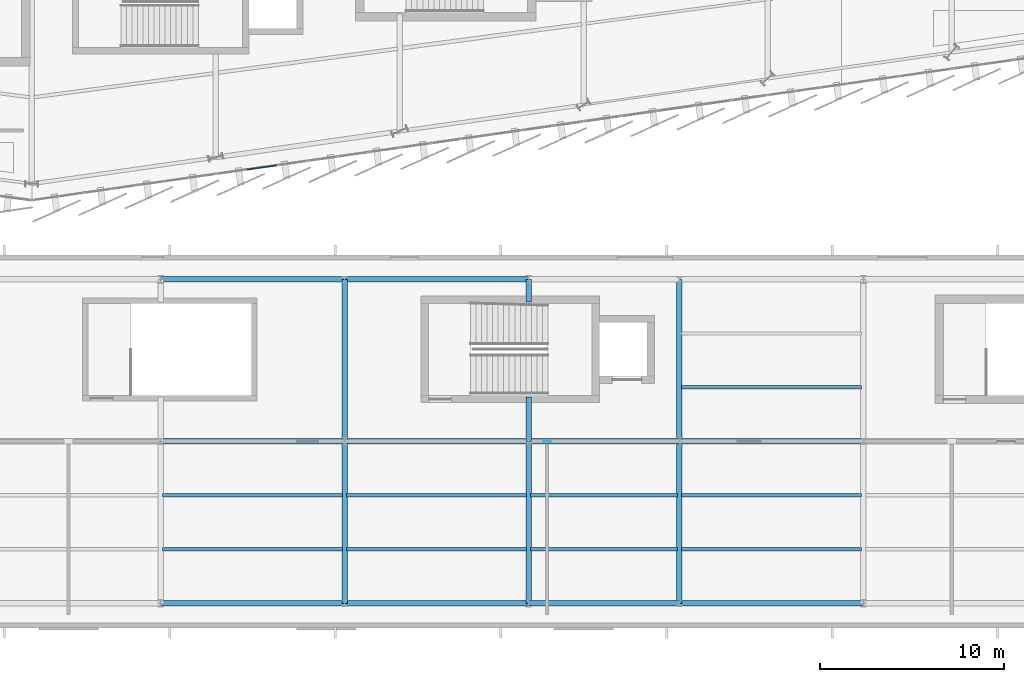
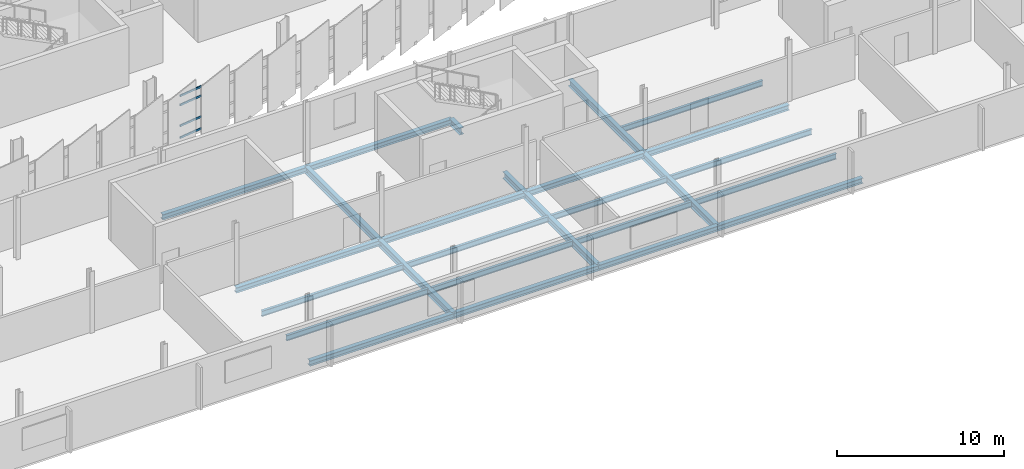
# One storey, part 34 of 120: 26 beams, 4 members, 1 element without a shape of its own.
"""IFC4 building model written with IfcOpenShell, lengths in metres."""

from ifc_helpers import new_model, si_unit, direction, frame, origin, origin_2d, place, context, subcontext, project, spatial, rectangle, i_section, extrude, material, layer, layer_set, material_profile, profile_set, type_object, element, aggregate, save


model = new_model("IFC4")

# Units and contexts
model_context = context("Model", 3, precision=1e-05, world=origin(), true_north=direction((0.0, 1.0)))
body_context = subcontext(model_context, "Body", "Model", "MODEL_VIEW")
ifc_project = project(units=[si_unit("LENGTHUNIT", "METRE"), si_unit("AREAUNIT", "SQUARE_METRE"), si_unit("VOLUMEUNIT", "CUBIC_METRE"), si_unit("PLANEANGLEUNIT", "RADIAN"), si_unit("MASSUNIT", "GRAM", prefix="KILO")], contexts=[model_context])

# Site, building, storey
site_placement = place(None, origin())
site = spatial("IfcSite", under=ifc_project, at=site_placement, CompositionType="ELEMENT")
building_placement = place(site_placement, origin())
building = spatial("IfcBuilding", under=site, at=building_placement, Name="Sohan Crest Arena", CompositionType="ELEMENT")
storey_placement = place(building_placement, frame((0.0, 0.0, 13.5)))
storey = spatial("IfcBuildingStorey", under=building, at=storey_placement, Name="L03", CompositionType="ELEMENT", Elevation=13.5)

# Curtain wall, members
ifc_material_1 = material(Name="Thermally broken anodised aluminium", Category="aluminium")
ifc_layer = layer(ifc_material_1, 0.199951171875, Name="Thermally broken anodised aluminium")
ifc_layer_set = layer_set([ifc_layer], Name="Thermally broken anodised aluminium")
curtain_wall_type = type_object("IfcCurtainWallType", Name="ARC-CW02", PredefinedType="NOTDEFINED", material=ifc_layer_set)
curtain_wall_placement = place(storey_placement, origin())
curtain_wall = element("IfcCurtainWall", 1, at=curtain_wall_placement, inside=storey, type_object=curtain_wall_type, Name="Unitised curtain wall CW-091", PredefinedType="NOTDEFINED")
ifc_material_profile_1 = material_profile(ifc_material_1, rectangle(XDim=0.06494140625, YDim=0.139892578125, at=origin_2d()), Name="ALU-TRAN 65x140")
ifc_profile_set_1 = profile_set([ifc_material_profile_1], Name="Thermally broken anodised aluminium")
member_type = type_object("IfcMemberType", Name="ARC-CW-TR02", PredefinedType="USERDEFINED", material=ifc_profile_set_1)
member_1_placement = place(storey_placement, frame((109.69873046875, 30.771484375, 0.032470703125), z_axis=(0.989943460198, 0.141463584044, 0.0), x_axis=(-0.141463584044, 0.989943460198, 0.0)))
member_1 = element("IfcMember", 2, at=member_1_placement, type_object=member_type, Name="CW-091 transom 2.1", ObjectType="TRANSOM", PredefinedType="USERDEFINED", context=body_context, shape_type="SweptSolid", body=[
    extrude(rectangle(XDim=0.06494140625, YDim=0.139892578125, at=origin_2d()), origin(), (0.0, 0.0, 1.0), 1.618896484375),
])
member_2_placement = place(storey_placement, frame((109.69873046875, 30.771484375, 0.89990234375), z_axis=(0.989943460198, 0.141463584044, 0.0), x_axis=(-0.141463584044, 0.989943460198, 0.0)))
member_2 = element("IfcMember", 3, at=member_2_placement, type_object=member_type, Name="CW-091 transom 2.2", ObjectType="TRANSOM", PredefinedType="USERDEFINED", context=body_context, shape_type="SweptSolid", body=[
    extrude(rectangle(XDim=0.06494140625, YDim=0.139892578125, at=origin_2d()), origin(), (0.0, 0.0, 1.0), 1.618896484375),
])
member_3_placement = place(storey_placement, frame((109.69873046875, 30.771484375, 2.419921875), z_axis=(0.989943460198, 0.141463584044, 0.0), x_axis=(-0.141463584044, 0.989943460198, 0.0)))
member_3 = element("IfcMember", 4, at=member_3_placement, type_object=member_type, Name="CW-091 transom 2.3", ObjectType="TRANSOM", PredefinedType="USERDEFINED", context=body_context, shape_type="SweptSolid", body=[
    extrude(rectangle(XDim=0.06494140625, YDim=0.139892578125, at=origin_2d()), origin(), (0.0, 0.0, 1.0), 1.618896484375),
])
member_4_placement = place(storey_placement, frame((109.69873046875, 30.771484375, 3.08740234375), z_axis=(0.989943460198, 0.141463584044, 0.0), x_axis=(-0.141463584044, 0.989943460198, 0.0)))
member_4 = element("IfcMember", 5, at=member_4_placement, type_object=member_type, Name="CW-091 transom 2.4", ObjectType="TRANSOM", PredefinedType="USERDEFINED", context=body_context, shape_type="SweptSolid", body=[
    extrude(rectangle(XDim=0.06494140625, YDim=0.139892578125, at=origin_2d()), origin(), (0.0, 0.0, 1.0), 1.618896484375),
])
aggregate(curtain_wall, [member_1, member_2, member_3, member_4])

# Beams
ifc_material_2 = material(Name="Steel S355", Category="steel")
ifc_material_profile_2 = material_profile(ifc_material_2, i_section(OverallWidth=0.179931640625, OverallDepth=0.39990234375, WebThickness=0.008544921875, FlangeThickness=0.013427734375, at=origin_2d()), Name="IPE 400")
ifc_profile_set_2 = profile_set([ifc_material_profile_2], Name="Steel S355")
beam_type_1 = type_object("IfcBeamType", Name="STR-BM-B03", PredefinedType="JOIST", material=ifc_profile_set_2)
for number, where, z_axis, x_axis, name in (
    (6, (105.110107421875, 10.133056640625, -0.449951171875), (1.0, 0.0, 0.0), (0.0, 1.0, 0.0), "Structural beam J-L03-2733"),
    (7, (105.110107421875, 13.06689453125, -0.449951171875), (1.0, 0.0, 0.0), (0.0, 1.0, 0.0), "Structural beam J-L03-2734"),
    (8, (115.110107421875, 10.133056640625, -0.449951171875), (1.0, 0.0, 0.0), (0.0, 1.0, 0.0), "Structural beam J-L03-2736"),
    (9, (115.110107421875, 13.06689453125, -0.449951171875), (1.0, 0.0, 0.0), (0.0, 1.0, 0.0), "Structural beam J-L03-2737"),
):
    element("IfcBeam", number, at=place(storey_placement, frame(where, z_axis=z_axis, x_axis=x_axis)), inside=storey, type_object=beam_type_1, Name=name, PredefinedType="JOIST", context=body_context, shape_type="SweptSolid", body=[
        extrude(i_section(OverallWidth=0.179931640625, OverallDepth=0.39990234375, WebThickness=0.008544921875, FlangeThickness=0.013427734375, at=origin_2d()), origin(), (0.0, 0.0, 1.0), 9.77978515625),
    ])
for number, where, z_axis, x_axis, name in (
    (10, (125.110107421875, 10.133056640625, -0.449951171875), (1.0, 0.0, 0.0), (0.0, 1.0, 0.0), "Structural beam J-L03-2739"),
    (11, (125.110107421875, 13.06689453125, -0.449951171875), (1.0, 0.0, 0.0), (0.0, 1.0, 0.0), "Structural beam J-L03-2740"),
):
    element("IfcBeam", number, at=place(storey_placement, frame(where, z_axis=z_axis, x_axis=x_axis)), inside=storey, type_object=beam_type_1, Name=name, PredefinedType="JOIST", context=body_context, shape_type="SweptSolid", body=[
        extrude(i_section(OverallWidth=0.179931640625, OverallDepth=0.39990234375, WebThickness=0.008544921875, FlangeThickness=0.013427734375, at=origin_2d()), origin(), (0.0, 0.0, 1.0), 7.97998046875),
    ])
for number, where, z_axis, x_axis, name in (
    (12, (133.31005859375, 10.133056640625, -0.449951171875), (1.0, 0.0, 0.0), (0.0, 1.0, 0.0), "Structural beam J-L03-2742"),
    (13, (133.31005859375, 13.06689453125, -0.449951171875), (1.0, 0.0, 0.0), (0.0, 1.0, 0.0), "Structural beam J-L03-2743"),
    (14, (133.31005859375, 18.93310546875, -0.449951171875), (1.0, 0.0, 0.0), (0.0, 1.0, 0.0), "Structural beam J-L03-2757"),
):
    element("IfcBeam", number, at=place(storey_placement, frame(where, z_axis=z_axis, x_axis=x_axis)), inside=storey, type_object=beam_type_1, Name=name, PredefinedType="JOIST", context=body_context, shape_type="SweptSolid", body=[
        extrude(i_section(OverallWidth=0.179931640625, OverallDepth=0.39990234375, WebThickness=0.008544921875, FlangeThickness=0.013427734375, at=origin_2d()), origin(), (0.0, 0.0, 1.0), 9.780029296875),
    ])
ifc_material_profile_3 = material_profile(ifc_material_2, i_section(OverallWidth=0.300048828125, OverallDepth=0.389892578125, WebThickness=0.010986328125, FlangeThickness=0.01904296875, at=origin_2d()), Name="HEA 400")
ifc_profile_set_3 = profile_set([ifc_material_profile_3], Name="Steel S355")
beam_type_2 = type_object("IfcBeamType", Name="STR-BM-B09", PredefinedType="BEAM", material=ifc_profile_set_3)
for number, where, z_axis, x_axis, name in (
    (15, (105.0, 7.199951171875, -0.445068359375), (1.0, 0.0, 0.0), (0.0, 1.0, 0.0), "Structural beam G-L03-2732"),
    (16, (115.0, 7.199951171875, -0.445068359375), (1.0, 0.0, 0.0), (0.0, 1.0, 0.0), "Structural beam G-L03-2735"),
):
    element("IfcBeam", number, at=place(storey_placement, frame(where, z_axis=z_axis, x_axis=x_axis)), inside=storey, type_object=beam_type_2, Name=name, PredefinedType="BEAM", context=body_context, shape_type="SweptSolid", body=[
        extrude(i_section(OverallWidth=0.300048828125, OverallDepth=0.389892578125, WebThickness=0.010986328125, FlangeThickness=0.01904296875, at=origin_2d()), origin(), (0.0, 0.0, 1.0), 10.0),
    ])
beam_1_placement = place(storey_placement, frame((125.0, 7.199951171875, -0.445068359375), z_axis=(1.0, 0.0, 0.0), x_axis=(0.0, 1.0, 0.0)))
element("IfcBeam", 17, at=beam_1_placement, inside=storey, type_object=beam_type_2, Name="Structural beam G-L03-2738", PredefinedType="BEAM", context=body_context, shape_type="SweptSolid", body=[
    extrude(i_section(OverallWidth=0.300048828125, OverallDepth=0.389892578125, WebThickness=0.010986328125, FlangeThickness=0.01904296875, at=origin_2d()), origin(), (0.0, 0.0, 1.0), 8.199951171875),
])
for number, where, z_axis, x_axis, name in (
    (18, (133.199951171875, 7.199951171875, -0.445068359375), (1.0, 0.0, 0.0), (0.0, 1.0, 0.0), "Structural beam G-L03-2741"),
    (19, (105.0, 16.0, -0.445068359375), (1.0, 0.0, 0.0), (0.0, 1.0, 0.0), "Structural beam G-L03-2753"),
    (20, (115.0, 16.0, -0.445068359375), (1.0, 0.0, 0.0), (0.0, 1.0, 0.0), "Structural beam G-L03-2754"),
):
    element("IfcBeam", number, at=place(storey_placement, frame(where, z_axis=z_axis, x_axis=x_axis)), inside=storey, type_object=beam_type_2, Name=name, PredefinedType="BEAM", context=body_context, shape_type="SweptSolid", body=[
        extrude(i_section(OverallWidth=0.300048828125, OverallDepth=0.389892578125, WebThickness=0.010986328125, FlangeThickness=0.01904296875, at=origin_2d()), origin(), (0.0, 0.0, 1.0), 10.0),
    ])
beam_2_placement = place(storey_placement, frame((125.0, 16.0, -0.445068359375), z_axis=(1.0, 0.0, 0.0), x_axis=(0.0, 1.0, 0.0)))
element("IfcBeam", 21, at=beam_2_placement, inside=storey, type_object=beam_type_2, Name="Structural beam G-L03-2755", PredefinedType="BEAM", context=body_context, shape_type="SweptSolid", body=[
    extrude(i_section(OverallWidth=0.300048828125, OverallDepth=0.389892578125, WebThickness=0.010986328125, FlangeThickness=0.01904296875, at=origin_2d()), origin(), (0.0, 0.0, 1.0), 8.199951171875),
])
for number, where, z_axis, x_axis, name in (
    (22, (133.199951171875, 16.0, -0.445068359375), (1.0, 0.0, 0.0), (0.0, 1.0, 0.0), "Structural beam G-L03-2756"),
    (23, (105.0, 24.800048828125, -0.445068359375), (1.0, 0.0, 0.0), (0.0, 1.0, 0.0), "Structural beam G-L03-2764"),
    (24, (115.0, 24.800048828125, -0.445068359375), (1.0, 0.0, 0.0), (0.0, 1.0, 0.0), "Structural beam G-L03-2765"),
):
    element("IfcBeam", number, at=place(storey_placement, frame(where, z_axis=z_axis, x_axis=x_axis)), inside=storey, type_object=beam_type_2, Name=name, PredefinedType="BEAM", context=body_context, shape_type="SweptSolid", body=[
        extrude(i_section(OverallWidth=0.300048828125, OverallDepth=0.389892578125, WebThickness=0.010986328125, FlangeThickness=0.01904296875, at=origin_2d()), origin(), (0.0, 0.0, 1.0), 10.0),
    ])
ifc_material_profile_4 = material_profile(ifc_material_2, i_section(OverallWidth=0.300048828125, OverallDepth=0.489990234375, WebThickness=0.011962890625, FlangeThickness=0.02294921875, at=origin_2d()), Name="HEA 500")
ifc_profile_set_4 = profile_set([ifc_material_profile_4], Name="Steel S355")
beam_type_3 = type_object("IfcBeamType", Name="STR-BM-B10", PredefinedType="BEAM", material=ifc_profile_set_4)
for number, where, z_axis, x_axis, name in (
    (25, (115.0, 7.199951171875, -0.4951171875), (0.0, 1.0, 0.0), (-1.0, 0.0, 0.0), "Structural beam G-L03-2709"),
    (26, (115.0, 16.0, -0.4951171875), (0.0, 1.0, 0.0), (-1.0, 0.0, 0.0), "Structural beam G-L03-2710"),
    (27, (125.0, 7.199951171875, -0.4951171875), (0.0, 1.0, 0.0), (-1.0, 0.0, 0.0), "Structural beam G-L03-2711"),
):
    element("IfcBeam", number, at=place(storey_placement, frame(where, z_axis=z_axis, x_axis=x_axis)), inside=storey, type_object=beam_type_3, Name=name, PredefinedType="BEAM", context=body_context, shape_type="SweptSolid", body=[
        extrude(i_section(OverallWidth=0.300048828125, OverallDepth=0.489990234375, WebThickness=0.011962890625, FlangeThickness=0.02294921875, at=origin_2d()), origin(), (0.0, 0.0, 1.0), 8.800048828125),
    ])
beam_3_placement = place(storey_placement, frame((125.0, 16.0, -0.4951171875), z_axis=(0.0, 1.0, 0.0), x_axis=(-1.0, 0.0, 0.0)))
element("IfcBeam", 28, at=beam_3_placement, inside=storey, type_object=beam_type_3, Name="Structural beam G-L03-2712", PredefinedType="BEAM", context=body_context, shape_type="SweptSolid", body=[
    extrude(i_section(OverallWidth=0.300048828125, OverallDepth=0.489990234375, WebThickness=0.011962890625, FlangeThickness=0.02294921875, at=origin_2d()), origin(), (0.0, 0.0, 1.0), 2.419921875),
])
beam_4_placement = place(storey_placement, frame((125.0, 23.580078125, -0.4951171875), z_axis=(0.0, 1.0, 0.0), x_axis=(-1.0, 0.0, 0.0)))
element("IfcBeam", 29, at=beam_4_placement, inside=storey, type_object=beam_type_3, Name="Structural beam G-L03-2713", PredefinedType="BEAM", context=body_context, shape_type="SweptSolid", body=[
    extrude(i_section(OverallWidth=0.300048828125, OverallDepth=0.489990234375, WebThickness=0.011962890625, FlangeThickness=0.02294921875, at=origin_2d()), origin(), (0.0, 0.0, 1.0), 1.219970703125),
])
for number, where, z_axis, x_axis, name in (
    (30, (133.199951171875, 7.199951171875, -0.4951171875), (0.0, 1.0, 0.0), (-1.0, 0.0, 0.0), "Structural beam G-L03-2714"),
    (31, (133.199951171875, 16.0, -0.4951171875), (0.0, 1.0, 0.0), (-1.0, 0.0, 0.0), "Structural beam G-L03-2715"),
):
    element("IfcBeam", number, at=place(storey_placement, frame(where, z_axis=z_axis, x_axis=x_axis)), inside=storey, type_object=beam_type_3, Name=name, PredefinedType="BEAM", context=body_context, shape_type="SweptSolid", body=[
        extrude(i_section(OverallWidth=0.300048828125, OverallDepth=0.489990234375, WebThickness=0.011962890625, FlangeThickness=0.02294921875, at=origin_2d()), origin(), (0.0, 0.0, 1.0), 8.800048828125),
    ])

save(model, "model.ifc")
